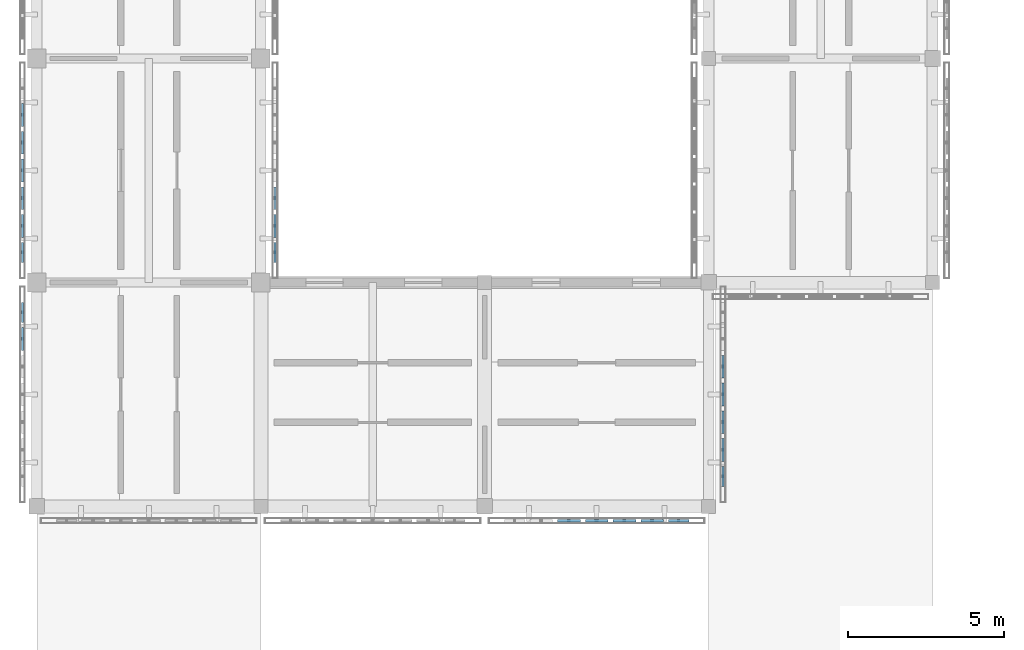
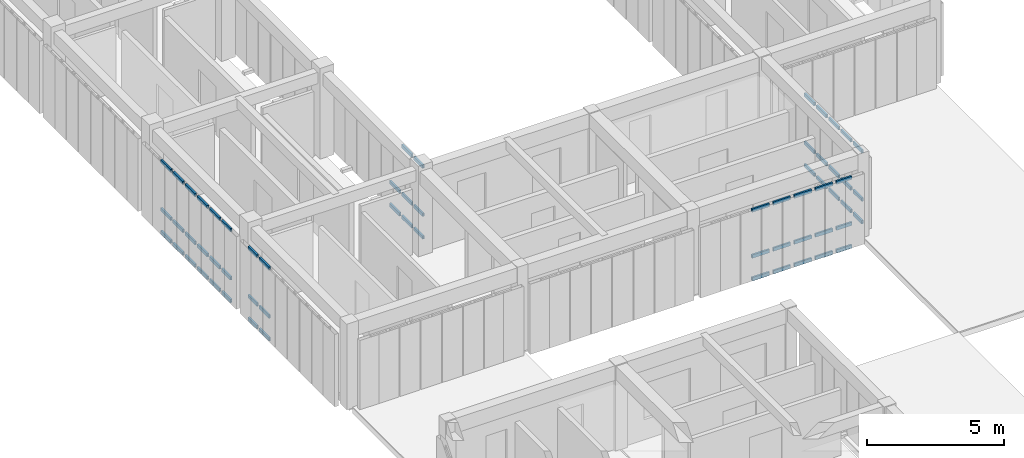
# One storey, part 17 of 67: 62 members, 5 elements without a shape of their own.
"""IFC4 building model written with IfcOpenShell, lengths in metres."""

from ifc_helpers import new_model, si_unit, direction, frame, origin, origin_2d, place, context, subcontext, project, spatial, hollow_rectangle, extrude, material, material_profile, profile_set, type_object, element, aggregate, save


model = new_model("IFC4")

# Units and contexts
model_context = context("Model", 3, precision=1e-05, world=origin(), true_north=direction((0.0, 1.0)))
body_context = subcontext(model_context, "Body", "Model", "MODEL_VIEW")
ifc_project = project(units=[si_unit("LENGTHUNIT", "METRE"), si_unit("AREAUNIT", "SQUARE_METRE"), si_unit("VOLUMEUNIT", "CUBIC_METRE"), si_unit("PLANEANGLEUNIT", "RADIAN"), si_unit("MASSUNIT", "GRAM", prefix="KILO")], contexts=[model_context])

# Site, building, storey
site_placement = place(None, origin())
site = spatial("IfcSite", under=ifc_project, at=site_placement, CompositionType="ELEMENT")
building_placement = place(site_placement, origin())
building = spatial("IfcBuilding", under=site, at=building_placement, Name="Aldebral Square Health Centre", CompositionType="ELEMENT")
storey_placement = place(building_placement, frame((0.0, 0.0, 13.5)))
storey = spatial("IfcBuildingStorey", under=building, at=storey_placement, Name="L03", CompositionType="ELEMENT", Elevation=13.5)

# Curtain wall, members
ifc_material_1 = material(Name="Aluminium and low-E solar glass", Category="aluminium")
curtain_wall_type = type_object("IfcCurtainWallType", Name="CW-FIN-SYS", PredefinedType="USERDEFINED", material=ifc_material_1)
curtain_wall_1_placement = place(storey_placement, origin())
curtain_wall_1 = element("IfcCurtainWall", 1, at=curtain_wall_1_placement, inside=storey, type_object=curtain_wall_type, Name="L03 V4 finned curtain wall L03-V4-00-08-W", ObjectType="SOLAR_CURTAIN_WALL", PredefinedType="USERDEFINED")
ifc_material_2 = material(Name="Anodised aluminium transom", Category="aluminium")
ifc_material_profile = material_profile(ifc_material_2, hollow_rectangle(XDim=0.074951171875, YDim=0.14990234375, WallThickness=0.00390625, at=origin_2d()), Name="CWT 75x150x4")
ifc_profile_set = profile_set([ifc_material_profile], Name="Anodised aluminium transom")
member_type = type_object("IfcMemberType", Name="CWT-STD", PredefinedType="USERDEFINED", material=ifc_profile_set)
member_1_placement = place(storey_placement, frame((-0.4599609375, 64.159912109375, 0.03759765625), z_axis=(0.0, -1.0, 0.0), x_axis=(1.0, 0.0, 0.0)))
member_1 = element("IfcMember", 2, at=member_1_placement, type_object=member_type, Name="CW1 transom 1.1", ObjectType="TRANSOM", PredefinedType="USERDEFINED", context=body_context, shape_type="SweptSolid", body=[
    extrude(hollow_rectangle(XDim=0.074951171875, YDim=0.14990234375, WallThickness=0.00390625, at=origin_2d()), origin(), (0.0, 0.0, 1.0), 0.6513671875),
])
member_2_placement = place(storey_placement, frame((-0.4599609375, 64.159912109375, 1.050048828125), z_axis=(0.0, -1.0, 0.0), x_axis=(1.0, 0.0, 0.0)))
member_2 = element("IfcMember", 3, at=member_2_placement, type_object=member_type, Name="CW1 transom 1.2", ObjectType="TRANSOM", PredefinedType="USERDEFINED", context=body_context, shape_type="SweptSolid", body=[
    extrude(hollow_rectangle(XDim=0.074951171875, YDim=0.14990234375, WallThickness=0.00390625, at=origin_2d()), origin(), (0.0, 0.0, 1.0), 0.6513671875),
])
member_3_placement = place(storey_placement, frame((-0.4599609375, 64.159912109375, 3.202392578125), z_axis=(0.0, -1.0, 0.0), x_axis=(1.0, 0.0, 0.0)))
member_3 = element("IfcMember", 4, at=member_3_placement, type_object=member_type, Name="CW1 transom 1.3", ObjectType="TRANSOM", PredefinedType="USERDEFINED", context=body_context, shape_type="SweptSolid", body=[
    extrude(hollow_rectangle(XDim=0.074951171875, YDim=0.14990234375, WallThickness=0.00390625, at=origin_2d()), origin(), (0.0, 0.0, 1.0), 0.6513671875),
])
member_4_placement = place(storey_placement, frame((-0.4599609375, 63.3486328125, 0.03759765625), z_axis=(0.0, -1.0, 0.0), x_axis=(1.0, 0.0, 0.0)))
member_4 = element("IfcMember", 5, at=member_4_placement, type_object=member_type, Name="CW1 transom 2.1", ObjectType="TRANSOM", PredefinedType="USERDEFINED", context=body_context, shape_type="SweptSolid", body=[
    extrude(hollow_rectangle(XDim=0.074951171875, YDim=0.14990234375, WallThickness=0.00390625, at=origin_2d()), origin(), (0.0, 0.0, 1.0), 0.7314453125),
])
member_5_placement = place(storey_placement, frame((-0.4599609375, 63.3486328125, 1.050048828125), z_axis=(0.0, -1.0, 0.0), x_axis=(1.0, 0.0, 0.0)))
member_5 = element("IfcMember", 6, at=member_5_placement, type_object=member_type, Name="CW1 transom 2.2", ObjectType="TRANSOM", PredefinedType="USERDEFINED", context=body_context, shape_type="SweptSolid", body=[
    extrude(hollow_rectangle(XDim=0.074951171875, YDim=0.14990234375, WallThickness=0.00390625, at=origin_2d()), origin(), (0.0, 0.0, 1.0), 0.7314453125),
])
member_6_placement = place(storey_placement, frame((-0.4599609375, 63.3486328125, 3.202392578125), z_axis=(0.0, -1.0, 0.0), x_axis=(1.0, 0.0, 0.0)))
member_6 = element("IfcMember", 7, at=member_6_placement, type_object=member_type, Name="CW1 transom 2.3", ObjectType="TRANSOM", PredefinedType="USERDEFINED", context=body_context, shape_type="SweptSolid", body=[
    extrude(hollow_rectangle(XDim=0.074951171875, YDim=0.14990234375, WallThickness=0.00390625, at=origin_2d()), origin(), (0.0, 0.0, 1.0), 0.7314453125),
])
aggregate(curtain_wall_1, [member_1, member_2, member_3, member_4, member_5, member_6])

curtain_wall_2_placement = place(storey_placement, origin())
curtain_wall_2 = element("IfcCurtainWall", 8, at=curtain_wall_2_placement, inside=storey, type_object=curtain_wall_type, Name="L03 V4 finned curtain wall L03-V4-00-09-W", ObjectType="SOLAR_CURTAIN_WALL", PredefinedType="USERDEFINED")
member_7_placement = place(storey_placement, frame((-0.4599609375, 70.548583984375, 0.03759765625), z_axis=(0.0, -1.0, 0.0), x_axis=(1.0, 0.0, 0.0)))
member_7 = element("IfcMember", 9, at=member_7_placement, type_object=member_type, Name="CW1 transom 2.1", ObjectType="TRANSOM", PredefinedType="USERDEFINED", context=body_context, shape_type="SweptSolid", body=[
    extrude(hollow_rectangle(XDim=0.074951171875, YDim=0.14990234375, WallThickness=0.00390625, at=origin_2d()), origin(), (0.0, 0.0, 1.0), 0.7314453125),
])
member_8_placement = place(storey_placement, frame((-0.4599609375, 70.548583984375, 1.050048828125), z_axis=(0.0, -1.0, 0.0), x_axis=(1.0, 0.0, 0.0)))
member_8 = element("IfcMember", 10, at=member_8_placement, type_object=member_type, Name="CW1 transom 2.2", ObjectType="TRANSOM", PredefinedType="USERDEFINED", context=body_context, shape_type="SweptSolid", body=[
    extrude(hollow_rectangle(XDim=0.074951171875, YDim=0.14990234375, WallThickness=0.00390625, at=origin_2d()), origin(), (0.0, 0.0, 1.0), 0.7314453125),
])
member_9_placement = place(storey_placement, frame((-0.4599609375, 70.548583984375, 3.202392578125), z_axis=(0.0, -1.0, 0.0), x_axis=(1.0, 0.0, 0.0)))
member_9 = element("IfcMember", 11, at=member_9_placement, type_object=member_type, Name="CW1 transom 2.3", ObjectType="TRANSOM", PredefinedType="USERDEFINED", context=body_context, shape_type="SweptSolid", body=[
    extrude(hollow_rectangle(XDim=0.074951171875, YDim=0.14990234375, WallThickness=0.00390625, at=origin_2d()), origin(), (0.0, 0.0, 1.0), 0.7314453125),
])
member_10_placement = place(storey_placement, frame((-0.4599609375, 69.6572265625, 0.03759765625), z_axis=(0.0, -1.0, 0.0), x_axis=(1.0, 0.0, 0.0)))
member_10 = element("IfcMember", 12, at=member_10_placement, type_object=member_type, Name="CW1 transom 3.1", ObjectType="TRANSOM", PredefinedType="USERDEFINED", context=body_context, shape_type="SweptSolid", body=[
    extrude(hollow_rectangle(XDim=0.074951171875, YDim=0.14990234375, WallThickness=0.00390625, at=origin_2d()), origin(), (0.0, 0.0, 1.0), 0.7314453125),
])
member_11_placement = place(storey_placement, frame((-0.4599609375, 69.6572265625, 1.050048828125), z_axis=(0.0, -1.0, 0.0), x_axis=(1.0, 0.0, 0.0)))
member_11 = element("IfcMember", 13, at=member_11_placement, type_object=member_type, Name="CW1 transom 3.2", ObjectType="TRANSOM", PredefinedType="USERDEFINED", context=body_context, shape_type="SweptSolid", body=[
    extrude(hollow_rectangle(XDim=0.074951171875, YDim=0.14990234375, WallThickness=0.00390625, at=origin_2d()), origin(), (0.0, 0.0, 1.0), 0.7314453125),
])
member_12_placement = place(storey_placement, frame((-0.4599609375, 69.6572265625, 3.202392578125), z_axis=(0.0, -1.0, 0.0), x_axis=(1.0, 0.0, 0.0)))
member_12 = element("IfcMember", 14, at=member_12_placement, type_object=member_type, Name="CW1 transom 3.3", ObjectType="TRANSOM", PredefinedType="USERDEFINED", context=body_context, shape_type="SweptSolid", body=[
    extrude(hollow_rectangle(XDim=0.074951171875, YDim=0.14990234375, WallThickness=0.00390625, at=origin_2d()), origin(), (0.0, 0.0, 1.0), 0.7314453125),
])
member_13_placement = place(storey_placement, frame((-0.4599609375, 68.765625, 0.03759765625), z_axis=(0.0, -1.0, 0.0), x_axis=(1.0, 0.0, 0.0)))
member_13 = element("IfcMember", 15, at=member_13_placement, type_object=member_type, Name="CW1 transom 4.1", ObjectType="TRANSOM", PredefinedType="USERDEFINED", context=body_context, shape_type="SweptSolid", body=[
    extrude(hollow_rectangle(XDim=0.074951171875, YDim=0.14990234375, WallThickness=0.00390625, at=origin_2d()), origin(), (0.0, 0.0, 1.0), 0.7314453125),
])
member_14_placement = place(storey_placement, frame((-0.4599609375, 68.765625, 1.050048828125), z_axis=(0.0, -1.0, 0.0), x_axis=(1.0, 0.0, 0.0)))
member_14 = element("IfcMember", 16, at=member_14_placement, type_object=member_type, Name="CW1 transom 4.2", ObjectType="TRANSOM", PredefinedType="USERDEFINED", context=body_context, shape_type="SweptSolid", body=[
    extrude(hollow_rectangle(XDim=0.074951171875, YDim=0.14990234375, WallThickness=0.00390625, at=origin_2d()), origin(), (0.0, 0.0, 1.0), 0.7314453125),
])
member_15_placement = place(storey_placement, frame((-0.4599609375, 68.765625, 3.202392578125), z_axis=(0.0, -1.0, 0.0), x_axis=(1.0, 0.0, 0.0)))
member_15 = element("IfcMember", 17, at=member_15_placement, type_object=member_type, Name="CW1 transom 4.3", ObjectType="TRANSOM", PredefinedType="USERDEFINED", context=body_context, shape_type="SweptSolid", body=[
    extrude(hollow_rectangle(XDim=0.074951171875, YDim=0.14990234375, WallThickness=0.00390625, at=origin_2d()), origin(), (0.0, 0.0, 1.0), 0.7314453125),
])
member_16_placement = place(storey_placement, frame((-0.4599609375, 67.874267578125, 0.03759765625), z_axis=(0.0, -1.0, 0.0), x_axis=(1.0, 0.0, 0.0)))
member_16 = element("IfcMember", 18, at=member_16_placement, type_object=member_type, Name="CW1 transom 5.1", ObjectType="TRANSOM", PredefinedType="USERDEFINED", context=body_context, shape_type="SweptSolid", body=[
    extrude(hollow_rectangle(XDim=0.074951171875, YDim=0.14990234375, WallThickness=0.00390625, at=origin_2d()), origin(), (0.0, 0.0, 1.0), 0.7314453125),
])
member_17_placement = place(storey_placement, frame((-0.4599609375, 67.874267578125, 1.050048828125), z_axis=(0.0, -1.0, 0.0), x_axis=(1.0, 0.0, 0.0)))
member_17 = element("IfcMember", 19, at=member_17_placement, type_object=member_type, Name="CW1 transom 5.2", ObjectType="TRANSOM", PredefinedType="USERDEFINED", context=body_context, shape_type="SweptSolid", body=[
    extrude(hollow_rectangle(XDim=0.074951171875, YDim=0.14990234375, WallThickness=0.00390625, at=origin_2d()), origin(), (0.0, 0.0, 1.0), 0.7314453125),
])
member_18_placement = place(storey_placement, frame((-0.4599609375, 67.874267578125, 3.202392578125), z_axis=(0.0, -1.0, 0.0), x_axis=(1.0, 0.0, 0.0)))
member_18 = element("IfcMember", 20, at=member_18_placement, type_object=member_type, Name="CW1 transom 5.3", ObjectType="TRANSOM", PredefinedType="USERDEFINED", context=body_context, shape_type="SweptSolid", body=[
    extrude(hollow_rectangle(XDim=0.074951171875, YDim=0.14990234375, WallThickness=0.00390625, at=origin_2d()), origin(), (0.0, 0.0, 1.0), 0.7314453125),
])
member_19_placement = place(storey_placement, frame((-0.4599609375, 66.98291015625, 0.03759765625), z_axis=(0.0, -1.0, 0.0), x_axis=(1.0, 0.0, 0.0)))
member_19 = element("IfcMember", 21, at=member_19_placement, type_object=member_type, Name="CW1 transom 6.1", ObjectType="TRANSOM", PredefinedType="USERDEFINED", context=body_context, shape_type="SweptSolid", body=[
    extrude(hollow_rectangle(XDim=0.074951171875, YDim=0.14990234375, WallThickness=0.00390625, at=origin_2d()), origin(), (0.0, 0.0, 1.0), 0.7314453125),
])
member_20_placement = place(storey_placement, frame((-0.4599609375, 66.98291015625, 1.050048828125), z_axis=(0.0, -1.0, 0.0), x_axis=(1.0, 0.0, 0.0)))
member_20 = element("IfcMember", 22, at=member_20_placement, type_object=member_type, Name="CW1 transom 6.2", ObjectType="TRANSOM", PredefinedType="USERDEFINED", context=body_context, shape_type="SweptSolid", body=[
    extrude(hollow_rectangle(XDim=0.074951171875, YDim=0.14990234375, WallThickness=0.00390625, at=origin_2d()), origin(), (0.0, 0.0, 1.0), 0.7314453125),
])
member_21_placement = place(storey_placement, frame((-0.4599609375, 66.98291015625, 3.202392578125), z_axis=(0.0, -1.0, 0.0), x_axis=(1.0, 0.0, 0.0)))
member_21 = element("IfcMember", 23, at=member_21_placement, type_object=member_type, Name="CW1 transom 6.3", ObjectType="TRANSOM", PredefinedType="USERDEFINED", context=body_context, shape_type="SweptSolid", body=[
    extrude(hollow_rectangle(XDim=0.074951171875, YDim=0.14990234375, WallThickness=0.00390625, at=origin_2d()), origin(), (0.0, 0.0, 1.0), 0.7314453125),
])
member_22_placement = place(storey_placement, frame((-0.4599609375, 66.09130859375, 0.03759765625), z_axis=(0.0, -1.0, 0.0), x_axis=(1.0, 0.0, 0.0)))
member_22 = element("IfcMember", 24, at=member_22_placement, type_object=member_type, Name="CW1 transom 7.1", ObjectType="TRANSOM", PredefinedType="USERDEFINED", context=body_context, shape_type="SweptSolid", body=[
    extrude(hollow_rectangle(XDim=0.074951171875, YDim=0.14990234375, WallThickness=0.00390625, at=origin_2d()), origin(), (0.0, 0.0, 1.0), 0.6513671875),
])
member_23_placement = place(storey_placement, frame((-0.4599609375, 66.09130859375, 1.050048828125), z_axis=(0.0, -1.0, 0.0), x_axis=(1.0, 0.0, 0.0)))
member_23 = element("IfcMember", 25, at=member_23_placement, type_object=member_type, Name="CW1 transom 7.2", ObjectType="TRANSOM", PredefinedType="USERDEFINED", context=body_context, shape_type="SweptSolid", body=[
    extrude(hollow_rectangle(XDim=0.074951171875, YDim=0.14990234375, WallThickness=0.00390625, at=origin_2d()), origin(), (0.0, 0.0, 1.0), 0.6513671875),
])
member_24_placement = place(storey_placement, frame((-0.4599609375, 66.09130859375, 3.202392578125), z_axis=(0.0, -1.0, 0.0), x_axis=(1.0, 0.0, 0.0)))
member_24 = element("IfcMember", 26, at=member_24_placement, type_object=member_type, Name="CW1 transom 7.3", ObjectType="TRANSOM", PredefinedType="USERDEFINED", context=body_context, shape_type="SweptSolid", body=[
    extrude(hollow_rectangle(XDim=0.074951171875, YDim=0.14990234375, WallThickness=0.00390625, at=origin_2d()), origin(), (0.0, 0.0, 1.0), 0.6513671875),
])
aggregate(curtain_wall_2, [member_7, member_8, member_9, member_10, member_11, member_12, member_13, member_14, member_15, member_16, member_17, member_18, member_19, member_20, member_21, member_22, member_23, member_24])

curtain_wall_3_placement = place(storey_placement, origin())
curtain_wall_3 = element("IfcCurtainWall", 27, at=curtain_wall_3_placement, inside=storey, type_object=curtain_wall_type, Name="L03 V4 finned curtain wall L03-V4-00-09-E", ObjectType="SOLAR_CURTAIN_WALL", PredefinedType="USERDEFINED")
member_25_placement = place(storey_placement, frame((7.659912109375, 65.43994140625, 0.03759765625), z_axis=(0.0, 1.0, 0.0), x_axis=(-1.0, 0.0, 0.0)))
member_25 = element("IfcMember", 28, at=member_25_placement, type_object=member_type, Name="CW1 transom 1.1", ObjectType="TRANSOM", PredefinedType="USERDEFINED", context=body_context, shape_type="SweptSolid", body=[
    extrude(hollow_rectangle(XDim=0.074951171875, YDim=0.14990234375, WallThickness=0.00390625, at=origin_2d()), origin(), (0.0, 0.0, 1.0), 0.6513671875),
])
member_26_placement = place(storey_placement, frame((7.659912109375, 65.43994140625, 1.050048828125), z_axis=(0.0, 1.0, 0.0), x_axis=(-1.0, 0.0, 0.0)))
member_26 = element("IfcMember", 29, at=member_26_placement, type_object=member_type, Name="CW1 transom 1.2", ObjectType="TRANSOM", PredefinedType="USERDEFINED", context=body_context, shape_type="SweptSolid", body=[
    extrude(hollow_rectangle(XDim=0.074951171875, YDim=0.14990234375, WallThickness=0.00390625, at=origin_2d()), origin(), (0.0, 0.0, 1.0), 0.6513671875),
])
member_27_placement = place(storey_placement, frame((7.659912109375, 65.43994140625, 3.202392578125), z_axis=(0.0, 1.0, 0.0), x_axis=(-1.0, 0.0, 0.0)))
member_27 = element("IfcMember", 30, at=member_27_placement, type_object=member_type, Name="CW1 transom 1.3", ObjectType="TRANSOM", PredefinedType="USERDEFINED", context=body_context, shape_type="SweptSolid", body=[
    extrude(hollow_rectangle(XDim=0.074951171875, YDim=0.14990234375, WallThickness=0.00390625, at=origin_2d()), origin(), (0.0, 0.0, 1.0), 0.6513671875),
])
member_28_placement = place(storey_placement, frame((7.659912109375, 66.25146484375, 0.03759765625), z_axis=(0.0, 1.0, 0.0), x_axis=(-1.0, 0.0, 0.0)))
member_28 = element("IfcMember", 31, at=member_28_placement, type_object=member_type, Name="CW1 transom 2.1", ObjectType="TRANSOM", PredefinedType="USERDEFINED", context=body_context, shape_type="SweptSolid", body=[
    extrude(hollow_rectangle(XDim=0.074951171875, YDim=0.14990234375, WallThickness=0.00390625, at=origin_2d()), origin(), (0.0, 0.0, 1.0), 0.7314453125),
])
member_29_placement = place(storey_placement, frame((7.659912109375, 66.25146484375, 1.050048828125), z_axis=(0.0, 1.0, 0.0), x_axis=(-1.0, 0.0, 0.0)))
member_29 = element("IfcMember", 32, at=member_29_placement, type_object=member_type, Name="CW1 transom 2.2", ObjectType="TRANSOM", PredefinedType="USERDEFINED", context=body_context, shape_type="SweptSolid", body=[
    extrude(hollow_rectangle(XDim=0.074951171875, YDim=0.14990234375, WallThickness=0.00390625, at=origin_2d()), origin(), (0.0, 0.0, 1.0), 0.7314453125),
])
member_30_placement = place(storey_placement, frame((7.659912109375, 66.25146484375, 3.202392578125), z_axis=(0.0, 1.0, 0.0), x_axis=(-1.0, 0.0, 0.0)))
member_30 = element("IfcMember", 33, at=member_30_placement, type_object=member_type, Name="CW1 transom 2.3", ObjectType="TRANSOM", PredefinedType="USERDEFINED", context=body_context, shape_type="SweptSolid", body=[
    extrude(hollow_rectangle(XDim=0.074951171875, YDim=0.14990234375, WallThickness=0.00390625, at=origin_2d()), origin(), (0.0, 0.0, 1.0), 0.7314453125),
])
member_31_placement = place(storey_placement, frame((7.659912109375, 67.142822265625, 0.03759765625), z_axis=(0.0, 1.0, 0.0), x_axis=(-1.0, 0.0, 0.0)))
member_31 = element("IfcMember", 34, at=member_31_placement, type_object=member_type, Name="CW1 transom 3.1", ObjectType="TRANSOM", PredefinedType="USERDEFINED", context=body_context, shape_type="SweptSolid", body=[
    extrude(hollow_rectangle(XDim=0.074951171875, YDim=0.14990234375, WallThickness=0.00390625, at=origin_2d()), origin(), (0.0, 0.0, 1.0), 0.7314453125),
])
member_32_placement = place(storey_placement, frame((7.659912109375, 67.142822265625, 1.050048828125), z_axis=(0.0, 1.0, 0.0), x_axis=(-1.0, 0.0, 0.0)))
member_32 = element("IfcMember", 35, at=member_32_placement, type_object=member_type, Name="CW1 transom 3.2", ObjectType="TRANSOM", PredefinedType="USERDEFINED", context=body_context, shape_type="SweptSolid", body=[
    extrude(hollow_rectangle(XDim=0.074951171875, YDim=0.14990234375, WallThickness=0.00390625, at=origin_2d()), origin(), (0.0, 0.0, 1.0), 0.7314453125),
])
aggregate(curtain_wall_3, [member_25, member_26, member_27, member_28, member_29, member_30, member_31, member_32])

curtain_wall_4_placement = place(storey_placement, origin())
curtain_wall_4 = element("IfcCurtainWall", 36, at=curtain_wall_4_placement, inside=storey, type_object=curtain_wall_type, Name="L03 V4 finned curtain wall L03-V4-02-08-S", ObjectType="SOLAR_CURTAIN_WALL", PredefinedType="USERDEFINED")
member_33_placement = place(storey_placement, frame((16.742919921875, 57.139892578125, 0.03759765625), z_axis=(1.0, 0.0, 0.0), x_axis=(0.0, 1.0, 0.0)))
member_33 = element("IfcMember", 37, at=member_33_placement, type_object=member_type, Name="CW1 transom 3.1", ObjectType="TRANSOM", PredefinedType="USERDEFINED", context=body_context, shape_type="SweptSolid", body=[
    extrude(hollow_rectangle(XDim=0.074951171875, YDim=0.14990234375, WallThickness=0.00390625, at=origin_2d()), origin(), (0.0, 0.0, 1.0), 0.7314453125),
])
member_34_placement = place(storey_placement, frame((16.742919921875, 57.139892578125, 1.050048828125), z_axis=(1.0, 0.0, 0.0), x_axis=(0.0, 1.0, 0.0)))
member_34 = element("IfcMember", 38, at=member_34_placement, type_object=member_type, Name="CW1 transom 3.2", ObjectType="TRANSOM", PredefinedType="USERDEFINED", context=body_context, shape_type="SweptSolid", body=[
    extrude(hollow_rectangle(XDim=0.074951171875, YDim=0.14990234375, WallThickness=0.00390625, at=origin_2d()), origin(), (0.0, 0.0, 1.0), 0.7314453125),
])
member_35_placement = place(storey_placement, frame((16.742919921875, 57.139892578125, 3.1025390625), z_axis=(1.0, 0.0, 0.0), x_axis=(0.0, 1.0, 0.0)))
member_35 = element("IfcMember", 39, at=member_35_placement, type_object=member_type, Name="CW1 transom 3.3", ObjectType="TRANSOM", PredefinedType="USERDEFINED", context=body_context, shape_type="SweptSolid", body=[
    extrude(hollow_rectangle(XDim=0.074951171875, YDim=0.14990234375, WallThickness=0.00390625, at=origin_2d()), origin(), (0.0, 0.0, 1.0), 0.7314453125),
])
member_36_placement = place(storey_placement, frame((17.63427734375, 57.139892578125, 0.03759765625), z_axis=(1.0, 0.0, 0.0), x_axis=(0.0, 1.0, 0.0)))
member_36 = element("IfcMember", 40, at=member_36_placement, type_object=member_type, Name="CW1 transom 4.1", ObjectType="TRANSOM", PredefinedType="USERDEFINED", context=body_context, shape_type="SweptSolid", body=[
    extrude(hollow_rectangle(XDim=0.074951171875, YDim=0.14990234375, WallThickness=0.00390625, at=origin_2d()), origin(), (0.0, 0.0, 1.0), 0.7314453125),
])
member_37_placement = place(storey_placement, frame((17.63427734375, 57.139892578125, 1.050048828125), z_axis=(1.0, 0.0, 0.0), x_axis=(0.0, 1.0, 0.0)))
member_37 = element("IfcMember", 41, at=member_37_placement, type_object=member_type, Name="CW1 transom 4.2", ObjectType="TRANSOM", PredefinedType="USERDEFINED", context=body_context, shape_type="SweptSolid", body=[
    extrude(hollow_rectangle(XDim=0.074951171875, YDim=0.14990234375, WallThickness=0.00390625, at=origin_2d()), origin(), (0.0, 0.0, 1.0), 0.7314453125),
])
member_38_placement = place(storey_placement, frame((17.63427734375, 57.139892578125, 3.1025390625), z_axis=(1.0, 0.0, 0.0), x_axis=(0.0, 1.0, 0.0)))
member_38 = element("IfcMember", 42, at=member_38_placement, type_object=member_type, Name="CW1 transom 4.3", ObjectType="TRANSOM", PredefinedType="USERDEFINED", context=body_context, shape_type="SweptSolid", body=[
    extrude(hollow_rectangle(XDim=0.074951171875, YDim=0.14990234375, WallThickness=0.00390625, at=origin_2d()), origin(), (0.0, 0.0, 1.0), 0.7314453125),
])
member_39_placement = place(storey_placement, frame((18.525634765625, 57.139892578125, 0.03759765625), z_axis=(1.0, 0.0, 0.0), x_axis=(0.0, 1.0, 0.0)))
member_39 = element("IfcMember", 43, at=member_39_placement, type_object=member_type, Name="CW1 transom 5.1", ObjectType="TRANSOM", PredefinedType="USERDEFINED", context=body_context, shape_type="SweptSolid", body=[
    extrude(hollow_rectangle(XDim=0.074951171875, YDim=0.14990234375, WallThickness=0.00390625, at=origin_2d()), origin(), (0.0, 0.0, 1.0), 0.7314453125),
])
member_40_placement = place(storey_placement, frame((18.525634765625, 57.139892578125, 1.050048828125), z_axis=(1.0, 0.0, 0.0), x_axis=(0.0, 1.0, 0.0)))
member_40 = element("IfcMember", 44, at=member_40_placement, type_object=member_type, Name="CW1 transom 5.2", ObjectType="TRANSOM", PredefinedType="USERDEFINED", context=body_context, shape_type="SweptSolid", body=[
    extrude(hollow_rectangle(XDim=0.074951171875, YDim=0.14990234375, WallThickness=0.00390625, at=origin_2d()), origin(), (0.0, 0.0, 1.0), 0.7314453125),
])
member_41_placement = place(storey_placement, frame((18.525634765625, 57.139892578125, 3.1025390625), z_axis=(1.0, 0.0, 0.0), x_axis=(0.0, 1.0, 0.0)))
member_41 = element("IfcMember", 45, at=member_41_placement, type_object=member_type, Name="CW1 transom 5.3", ObjectType="TRANSOM", PredefinedType="USERDEFINED", context=body_context, shape_type="SweptSolid", body=[
    extrude(hollow_rectangle(XDim=0.074951171875, YDim=0.14990234375, WallThickness=0.00390625, at=origin_2d()), origin(), (0.0, 0.0, 1.0), 0.7314453125),
])
member_42_placement = place(storey_placement, frame((19.417236328125, 57.139892578125, 0.03759765625), z_axis=(1.0, 0.0, 0.0), x_axis=(0.0, 1.0, 0.0)))
member_42 = element("IfcMember", 46, at=member_42_placement, type_object=member_type, Name="CW1 transom 6.1", ObjectType="TRANSOM", PredefinedType="USERDEFINED", context=body_context, shape_type="SweptSolid", body=[
    extrude(hollow_rectangle(XDim=0.074951171875, YDim=0.14990234375, WallThickness=0.00390625, at=origin_2d()), origin(), (0.0, 0.0, 1.0), 0.7314453125),
])
member_43_placement = place(storey_placement, frame((19.417236328125, 57.139892578125, 1.050048828125), z_axis=(1.0, 0.0, 0.0), x_axis=(0.0, 1.0, 0.0)))
member_43 = element("IfcMember", 47, at=member_43_placement, type_object=member_type, Name="CW1 transom 6.2", ObjectType="TRANSOM", PredefinedType="USERDEFINED", context=body_context, shape_type="SweptSolid", body=[
    extrude(hollow_rectangle(XDim=0.074951171875, YDim=0.14990234375, WallThickness=0.00390625, at=origin_2d()), origin(), (0.0, 0.0, 1.0), 0.7314453125),
])
member_44_placement = place(storey_placement, frame((19.417236328125, 57.139892578125, 3.1025390625), z_axis=(1.0, 0.0, 0.0), x_axis=(0.0, 1.0, 0.0)))
member_44 = element("IfcMember", 48, at=member_44_placement, type_object=member_type, Name="CW1 transom 6.3", ObjectType="TRANSOM", PredefinedType="USERDEFINED", context=body_context, shape_type="SweptSolid", body=[
    extrude(hollow_rectangle(XDim=0.074951171875, YDim=0.14990234375, WallThickness=0.00390625, at=origin_2d()), origin(), (0.0, 0.0, 1.0), 0.7314453125),
])
member_45_placement = place(storey_placement, frame((20.30859375, 57.139892578125, 0.03759765625), z_axis=(1.0, 0.0, 0.0), x_axis=(0.0, 1.0, 0.0)))
member_45 = element("IfcMember", 49, at=member_45_placement, type_object=member_type, Name="CW1 transom 7.1", ObjectType="TRANSOM", PredefinedType="USERDEFINED", context=body_context, shape_type="SweptSolid", body=[
    extrude(hollow_rectangle(XDim=0.074951171875, YDim=0.14990234375, WallThickness=0.00390625, at=origin_2d()), origin(), (0.0, 0.0, 1.0), 0.6513671875),
])
member_46_placement = place(storey_placement, frame((20.30859375, 57.139892578125, 1.050048828125), z_axis=(1.0, 0.0, 0.0), x_axis=(0.0, 1.0, 0.0)))
member_46 = element("IfcMember", 50, at=member_46_placement, type_object=member_type, Name="CW1 transom 7.2", ObjectType="TRANSOM", PredefinedType="USERDEFINED", context=body_context, shape_type="SweptSolid", body=[
    extrude(hollow_rectangle(XDim=0.074951171875, YDim=0.14990234375, WallThickness=0.00390625, at=origin_2d()), origin(), (0.0, 0.0, 1.0), 0.6513671875),
])
member_47_placement = place(storey_placement, frame((20.30859375, 57.139892578125, 3.1025390625), z_axis=(1.0, 0.0, 0.0), x_axis=(0.0, 1.0, 0.0)))
member_47 = element("IfcMember", 51, at=member_47_placement, type_object=member_type, Name="CW1 transom 7.3", ObjectType="TRANSOM", PredefinedType="USERDEFINED", context=body_context, shape_type="SweptSolid", body=[
    extrude(hollow_rectangle(XDim=0.074951171875, YDim=0.14990234375, WallThickness=0.00390625, at=origin_2d()), origin(), (0.0, 0.0, 1.0), 0.6513671875),
])
aggregate(curtain_wall_4, [member_33, member_34, member_35, member_36, member_37, member_38, member_39, member_40, member_41, member_42, member_43, member_44, member_45, member_46, member_47])

curtain_wall_5_placement = place(storey_placement, origin())
curtain_wall_5 = element("IfcCurtainWall", 52, at=curtain_wall_5_placement, inside=storey, type_object=curtain_wall_type, Name="L03 V4 finned curtain wall L03-V4-02-08-E", ObjectType="SOLAR_CURTAIN_WALL", PredefinedType="USERDEFINED")
member_48_placement = place(storey_placement, frame((22.06005859375, 58.239990234375, 0.03759765625), z_axis=(0.0, 1.0, 0.0), x_axis=(-1.0, 0.0, 0.0)))
member_48 = element("IfcMember", 53, at=member_48_placement, type_object=member_type, Name="CW1 transom 1.1", ObjectType="TRANSOM", PredefinedType="USERDEFINED", context=body_context, shape_type="SweptSolid", body=[
    extrude(hollow_rectangle(XDim=0.074951171875, YDim=0.14990234375, WallThickness=0.00390625, at=origin_2d()), origin(), (0.0, 0.0, 1.0), 0.6513671875),
])
member_49_placement = place(storey_placement, frame((22.06005859375, 58.239990234375, 1.050048828125), z_axis=(0.0, 1.0, 0.0), x_axis=(-1.0, 0.0, 0.0)))
member_49 = element("IfcMember", 54, at=member_49_placement, type_object=member_type, Name="CW1 transom 1.2", ObjectType="TRANSOM", PredefinedType="USERDEFINED", context=body_context, shape_type="SweptSolid", body=[
    extrude(hollow_rectangle(XDim=0.074951171875, YDim=0.14990234375, WallThickness=0.00390625, at=origin_2d()), origin(), (0.0, 0.0, 1.0), 0.6513671875),
])
member_50_placement = place(storey_placement, frame((22.06005859375, 58.239990234375, 3.202392578125), z_axis=(0.0, 1.0, 0.0), x_axis=(-1.0, 0.0, 0.0)))
member_50 = element("IfcMember", 55, at=member_50_placement, type_object=member_type, Name="CW1 transom 1.3", ObjectType="TRANSOM", PredefinedType="USERDEFINED", context=body_context, shape_type="SweptSolid", body=[
    extrude(hollow_rectangle(XDim=0.074951171875, YDim=0.14990234375, WallThickness=0.00390625, at=origin_2d()), origin(), (0.0, 0.0, 1.0), 0.6513671875),
])
member_51_placement = place(storey_placement, frame((22.06005859375, 59.051513671875, 0.03759765625), z_axis=(0.0, 1.0, 0.0), x_axis=(-1.0, 0.0, 0.0)))
member_51 = element("IfcMember", 56, at=member_51_placement, type_object=member_type, Name="CW1 transom 2.1", ObjectType="TRANSOM", PredefinedType="USERDEFINED", context=body_context, shape_type="SweptSolid", body=[
    extrude(hollow_rectangle(XDim=0.074951171875, YDim=0.14990234375, WallThickness=0.00390625, at=origin_2d()), origin(), (0.0, 0.0, 1.0), 0.7314453125),
])
member_52_placement = place(storey_placement, frame((22.06005859375, 59.051513671875, 1.050048828125), z_axis=(0.0, 1.0, 0.0), x_axis=(-1.0, 0.0, 0.0)))
member_52 = element("IfcMember", 57, at=member_52_placement, type_object=member_type, Name="CW1 transom 2.2", ObjectType="TRANSOM", PredefinedType="USERDEFINED", context=body_context, shape_type="SweptSolid", body=[
    extrude(hollow_rectangle(XDim=0.074951171875, YDim=0.14990234375, WallThickness=0.00390625, at=origin_2d()), origin(), (0.0, 0.0, 1.0), 0.7314453125),
])
member_53_placement = place(storey_placement, frame((22.06005859375, 59.051513671875, 3.202392578125), z_axis=(0.0, 1.0, 0.0), x_axis=(-1.0, 0.0, 0.0)))
member_53 = element("IfcMember", 58, at=member_53_placement, type_object=member_type, Name="CW1 transom 2.3", ObjectType="TRANSOM", PredefinedType="USERDEFINED", context=body_context, shape_type="SweptSolid", body=[
    extrude(hollow_rectangle(XDim=0.074951171875, YDim=0.14990234375, WallThickness=0.00390625, at=origin_2d()), origin(), (0.0, 0.0, 1.0), 0.7314453125),
])
member_54_placement = place(storey_placement, frame((22.06005859375, 59.94287109375, 0.03759765625), z_axis=(0.0, 1.0, 0.0), x_axis=(-1.0, 0.0, 0.0)))
member_54 = element("IfcMember", 59, at=member_54_placement, type_object=member_type, Name="CW1 transom 3.1", ObjectType="TRANSOM", PredefinedType="USERDEFINED", context=body_context, shape_type="SweptSolid", body=[
    extrude(hollow_rectangle(XDim=0.074951171875, YDim=0.14990234375, WallThickness=0.00390625, at=origin_2d()), origin(), (0.0, 0.0, 1.0), 0.7314453125),
])
member_55_placement = place(storey_placement, frame((22.06005859375, 59.94287109375, 1.050048828125), z_axis=(0.0, 1.0, 0.0), x_axis=(-1.0, 0.0, 0.0)))
member_55 = element("IfcMember", 60, at=member_55_placement, type_object=member_type, Name="CW1 transom 3.2", ObjectType="TRANSOM", PredefinedType="USERDEFINED", context=body_context, shape_type="SweptSolid", body=[
    extrude(hollow_rectangle(XDim=0.074951171875, YDim=0.14990234375, WallThickness=0.00390625, at=origin_2d()), origin(), (0.0, 0.0, 1.0), 0.7314453125),
])
member_56_placement = place(storey_placement, frame((22.06005859375, 59.94287109375, 3.202392578125), z_axis=(0.0, 1.0, 0.0), x_axis=(-1.0, 0.0, 0.0)))
member_56 = element("IfcMember", 61, at=member_56_placement, type_object=member_type, Name="CW1 transom 3.3", ObjectType="TRANSOM", PredefinedType="USERDEFINED", context=body_context, shape_type="SweptSolid", body=[
    extrude(hollow_rectangle(XDim=0.074951171875, YDim=0.14990234375, WallThickness=0.00390625, at=origin_2d()), origin(), (0.0, 0.0, 1.0), 0.7314453125),
])
member_57_placement = place(storey_placement, frame((22.06005859375, 60.834228515625, 0.03759765625), z_axis=(0.0, 1.0, 0.0), x_axis=(-1.0, 0.0, 0.0)))
member_57 = element("IfcMember", 62, at=member_57_placement, type_object=member_type, Name="CW1 transom 4.1", ObjectType="TRANSOM", PredefinedType="USERDEFINED", context=body_context, shape_type="SweptSolid", body=[
    extrude(hollow_rectangle(XDim=0.074951171875, YDim=0.14990234375, WallThickness=0.00390625, at=origin_2d()), origin(), (0.0, 0.0, 1.0), 0.7314453125),
])
member_58_placement = place(storey_placement, frame((22.06005859375, 60.834228515625, 1.050048828125), z_axis=(0.0, 1.0, 0.0), x_axis=(-1.0, 0.0, 0.0)))
member_58 = element("IfcMember", 63, at=member_58_placement, type_object=member_type, Name="CW1 transom 4.2", ObjectType="TRANSOM", PredefinedType="USERDEFINED", context=body_context, shape_type="SweptSolid", body=[
    extrude(hollow_rectangle(XDim=0.074951171875, YDim=0.14990234375, WallThickness=0.00390625, at=origin_2d()), origin(), (0.0, 0.0, 1.0), 0.7314453125),
])
member_59_placement = place(storey_placement, frame((22.06005859375, 60.834228515625, 3.202392578125), z_axis=(0.0, 1.0, 0.0), x_axis=(-1.0, 0.0, 0.0)))
member_59 = element("IfcMember", 64, at=member_59_placement, type_object=member_type, Name="CW1 transom 4.3", ObjectType="TRANSOM", PredefinedType="USERDEFINED", context=body_context, shape_type="SweptSolid", body=[
    extrude(hollow_rectangle(XDim=0.074951171875, YDim=0.14990234375, WallThickness=0.00390625, at=origin_2d()), origin(), (0.0, 0.0, 1.0), 0.7314453125),
])
member_60_placement = place(storey_placement, frame((22.06005859375, 61.725830078125, 0.03759765625), z_axis=(0.0, 1.0, 0.0), x_axis=(-1.0, 0.0, 0.0)))
member_60 = element("IfcMember", 65, at=member_60_placement, type_object=member_type, Name="CW1 transom 5.1", ObjectType="TRANSOM", PredefinedType="USERDEFINED", context=body_context, shape_type="SweptSolid", body=[
    extrude(hollow_rectangle(XDim=0.074951171875, YDim=0.14990234375, WallThickness=0.00390625, at=origin_2d()), origin(), (0.0, 0.0, 1.0), 0.731201171875),
])
member_61_placement = place(storey_placement, frame((22.06005859375, 61.725830078125, 1.050048828125), z_axis=(0.0, 1.0, 0.0), x_axis=(-1.0, 0.0, 0.0)))
member_61 = element("IfcMember", 66, at=member_61_placement, type_object=member_type, Name="CW1 transom 5.2", ObjectType="TRANSOM", PredefinedType="USERDEFINED", context=body_context, shape_type="SweptSolid", body=[
    extrude(hollow_rectangle(XDim=0.074951171875, YDim=0.14990234375, WallThickness=0.00390625, at=origin_2d()), origin(), (0.0, 0.0, 1.0), 0.731201171875),
])
member_62_placement = place(storey_placement, frame((22.06005859375, 61.725830078125, 3.202392578125), z_axis=(0.0, 1.0, 0.0), x_axis=(-1.0, 0.0, 0.0)))
member_62 = element("IfcMember", 67, at=member_62_placement, type_object=member_type, Name="CW1 transom 5.3", ObjectType="TRANSOM", PredefinedType="USERDEFINED", context=body_context, shape_type="SweptSolid", body=[
    extrude(hollow_rectangle(XDim=0.074951171875, YDim=0.14990234375, WallThickness=0.00390625, at=origin_2d()), origin(), (0.0, 0.0, 1.0), 0.731201171875),
])
aggregate(curtain_wall_5, [member_48, member_49, member_50, member_51, member_52, member_53, member_54, member_55, member_56, member_57, member_58, member_59, member_60, member_61, member_62])

save(model, "model.ifc")
